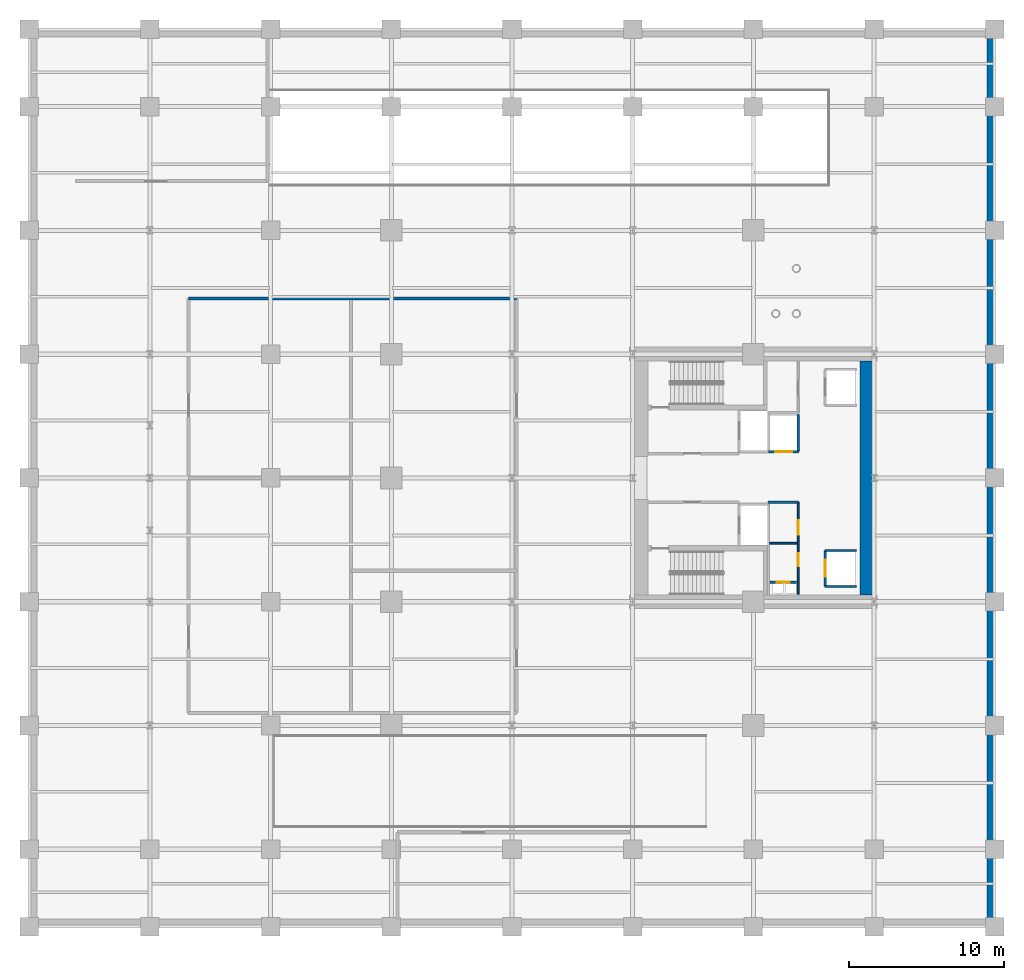
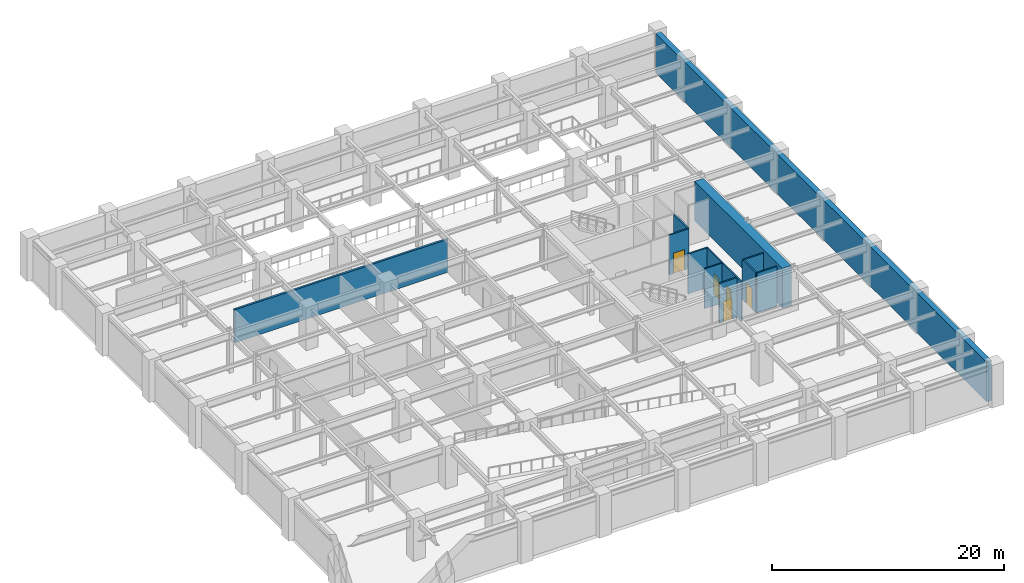
# One storey, part 6 of 10: 12 walls, 5 doors, 5 openings.
"""IFC4 building model written with IfcOpenShell, lengths in metres."""

import ifcopenshell
import ifcopenshell.guid

model = None  # the IFC model being written
_history = None  # IfcOwnerHistory: only IFC2X3 demands one
_inside = {}  # id of a spatial element -> (the spatial element, [elements in it])
_under = {}  # id of a project, library or spatial element -> (it, [spatial elements below it])
_declared = {}  # id of a project -> (the project, [libraries it declares])
_typed = {}  # id of a type object -> (the type object, [elements of that type])
_made_of = {}  # id of a material, layer set ... -> (it, [elements and type objects made of it])


def new_model(schema):
    """Start an empty IFC model of exactly this schema.

    Asked for "IFC4X3", IfcOpenShell would pick the latest addendum, in which some entities
    have other attributes; the version numbers below select the first issue.
    IFC2X3 requires an IfcOwnerHistory on every rooted entity: one is made here for all.
    """
    global model, _history
    if schema == "IFC4X3":
        model = ifcopenshell.file(schema_version=(4, 3, 0, 0))
    else:
        model = ifcopenshell.file(schema=schema)
    _inside.clear()
    _under.clear()
    _declared.clear()
    _typed.clear()
    _made_of.clear()
    _history = None
    if model.schema == "IFC2X3":
        org = make("IfcOrganization", Name="unknown")
        user = make(
            "IfcPersonAndOrganization",
            ThePerson=make("IfcPerson", FamilyName="unknown"),
            TheOrganization=org,
        )
        app = make(
            "IfcApplication",
            ApplicationDeveloper=org,
            Version="unknown",
            ApplicationFullName="unknown",
            ApplicationIdentifier="unknown",
        )
        _history = make(
            "IfcOwnerHistory",
            OwningUser=user,
            OwningApplication=app,
            ChangeAction="ADDED",
            CreationDate=0,
        )
    return model


def make(cls, **values):
    """One entity of the class cls with the attributes given. An attribute that is None is left unset."""
    return model.create_entity(
        cls, **{name: value for name, value in values.items() if value is not None}
    )


def rooted(cls, **values):
    """An entity with a GlobalId (a new one), such as an element, a storey or a relation."""
    return make(cls, GlobalId=ifcopenshell.guid.new(), OwnerHistory=_history, **values)


def si_unit(unit_type, name, prefix=None):
    """IfcSIUnit, for example si_unit("LENGTHUNIT", "METRE", prefix="MILLI")."""
    return make("IfcSIUnit", UnitType=unit_type, Prefix=prefix, Name=name)


def assignment(units):
    """IfcUnitAssignment: the units of a project."""
    return None if units is None else make("IfcUnitAssignment", Units=units)


def point(xyz):
    """IfcCartesianPoint."""
    return None if xyz is None else make("IfcCartesianPoint", Coordinates=xyz)


def direction(xyz):
    """IfcDirection."""
    return None if xyz is None else make("IfcDirection", DirectionRatios=xyz)


def frame(location, z_axis=None, x_axis=None):
    """IfcAxis2Placement3D, a coordinate frame: its origin and axes. An axis left out is left unset."""
    return make(
        "IfcAxis2Placement3D",
        Location=point(location),
        Axis=direction(z_axis),
        RefDirection=direction(x_axis),
    )


def frame_2d(location, x_axis=None):
    """IfcAxis2Placement2D, a coordinate frame in the plane: its origin and x axis."""
    return make(
        "IfcAxis2Placement2D", Location=point(location), RefDirection=direction(x_axis)
    )


def origin():
    """The frame at (0, 0, 0) with its axes left unset."""
    return frame((0.0, 0.0, 0.0))


def place(relative_to, where):
    """IfcLocalPlacement: puts the frame where relative to a parent placement (None: the world)."""
    return make(
        "IfcLocalPlacement", PlacementRelTo=relative_to, RelativePlacement=where
    )


def context(
    kind, dimensions, precision=None, world=None, true_north=None, identifier=None
):
    """IfcGeometricRepresentationContext, for example the 3D "Model" context."""
    return make(
        "IfcGeometricRepresentationContext",
        ContextIdentifier=identifier,
        ContextType=kind,
        CoordinateSpaceDimension=dimensions,
        Precision=precision,
        WorldCoordinateSystem=world,
        TrueNorth=true_north,
    )


def subcontext(parent, identifier, kind, view, scale=None):
    """IfcGeometricRepresentationSubContext, for example "Body" below "Model"."""
    return make(
        "IfcGeometricRepresentationSubContext",
        ContextIdentifier=identifier,
        ContextType=kind,
        ParentContext=parent,
        TargetScale=scale,
        TargetView=view,
    )


def project(units=None, contexts=None):
    """IfcProject with its units and contexts."""
    return rooted(
        "IfcProject",
        Name="project",
        RepresentationContexts=contexts,
        UnitsInContext=assignment(units),
    )


def spatial(cls, under=None, at=None, **own):
    """A site, building, storey or space (cls), placed at a placement, below another one or the project."""
    s = rooted(cls, ObjectPlacement=at, **own)
    if under is not None:
        _under.setdefault(under.id(), (under, []))[1].append(s)
    return s


def profile(cls, at=None, kind="AREA", **sizes):
    """A parametric profile (cls). Its sizes go by their IFC names, for example OverallWidth=200.0."""
    return make(cls, ProfileType=kind, Position=at, **sizes)


def rectangle(**sizes):
    """IfcRectangleProfileDef."""
    return profile("IfcRectangleProfileDef", **sizes)


def extrude(swept, where, along, depth):
    """IfcExtrudedAreaSolid: the profile swept, set in the frame where, extruded along a direction by depth."""
    return make(
        "IfcExtrudedAreaSolid",
        SweptArea=swept,
        Position=where,
        ExtrudedDirection=direction(along),
        Depth=depth,
    )


def shape(context_of_items, identifier, shape_type, items):
    """IfcShapeRepresentation: the items that make up one representation, for example the "Body"."""
    return make(
        "IfcShapeRepresentation",
        ContextOfItems=context_of_items,
        RepresentationIdentifier=identifier,
        RepresentationType=shape_type,
        Items=items,
    )


def material(Name=None, Category=None):
    """IfcMaterial."""
    return make("IfcMaterial", Name=Name, Category=Category)


def layer(
    of_material, thickness, ventilated=None, Name=None, Category=None, Priority=None
):
    """IfcMaterialLayer: one layer of a wall or slab, of a material (None: an air gap)."""
    return make(
        "IfcMaterialLayer",
        Material=of_material,
        LayerThickness=thickness,
        IsVentilated=ventilated,
        Name=Name,
        Category=Category,
        Priority=Priority,
    )


def layer_set(layers, Name=None):
    """IfcMaterialLayerSet."""
    return make("IfcMaterialLayerSet", MaterialLayers=layers, LayerSetName=Name)


def made_of(thing, what):
    """Note that an element or type object is made of a material, layer set ...; save() writes the relation."""
    if what is not None:
        _made_of.setdefault(what.id(), (what, []))[1].append(thing)
    return thing


def type_object(cls, material=None, **own):
    """A type object (cls), such as IfcWallType, which elements share."""
    return made_of(rooted(cls, **own), material)


def element(
    cls,
    number,
    at=None,
    inside=None,
    cuts=None,
    type_object=None,
    material=None,
    context=None,
    identifier="Body",
    shape_type=None,
    held_by="IfcProductDefinitionShape",
    body=None,
    shapes=None,
    **own,
):
    """One element of the class cls, such as IfcWall. Its Tag is "e" and its number.

    at: its placement. inside: the storey or other place that contains it. cuts: it is an
    opening in that element (IfcRelVoidsElement). A single representation is given by context,
    identifier, shape_type and body (its items); several are given by shapes. held_by: the class
    of the entity that holds the representations. save() writes the other relations.
    """
    e = rooted(cls, Tag="e%d" % number, ObjectPlacement=at, **own)
    if body is not None:
        shapes = [shape(context, identifier, shape_type, body)]
    if shapes is not None:
        e.Representation = make(held_by, Representations=shapes)
    if inside is not None:
        _inside.setdefault(inside.id(), (inside, []))[1].append(e)
    if cuts is not None:
        rooted(
            "IfcRelVoidsElement", RelatingBuildingElement=cuts, RelatedOpeningElement=e
        )
    if type_object is not None:
        _typed.setdefault(type_object.id(), (type_object, []))[1].append(e)
    return made_of(e, material)


def fill(opening, filler):
    """IfcRelFillsElement: the door or window that sits in an opening."""
    return rooted(
        "IfcRelFillsElement",
        RelatingOpeningElement=opening,
        RelatedBuildingElement=filler,
    )


def aggregate(whole, parts):
    """IfcRelAggregates: a whole, such as a stair, and the parts it consists of."""
    return rooted("IfcRelAggregates", RelatingObject=whole, RelatedObjects=parts)


def save(model, path):
    """Write the relations noted so far, then the file.

    IfcRelAggregates (storeys below a building ...), IfcRelContainedInSpatialStructure (elements
    in a storey), IfcRelDefinesByType, IfcRelAssociatesMaterial and IfcRelDeclares: one each for
    every whole, place, type object, material and project.
    """
    for whole, parts in _under.values():
        aggregate(whole, parts)
    for where, things in _inside.values():
        rooted(
            "IfcRelContainedInSpatialStructure",
            RelatedElements=things,
            RelatingStructure=where,
        )
    for kind, things in _typed.values():
        rooted("IfcRelDefinesByType", RelatedObjects=things, RelatingType=kind)
    for what, things in _made_of.values():
        rooted("IfcRelAssociatesMaterial", RelatedObjects=things, RelatingMaterial=what)
    for by, libraries in _declared.values():
        rooted("IfcRelDeclares", RelatingContext=by, RelatedDefinitions=libraries)
    model.write(path)


model = new_model("IFC4")

# Units and contexts
model_context = context("Model", 3, precision=1e-05, world=origin(), true_north=direction((0.0, 1.0)))
body_context = subcontext(model_context, "Body", "Model", "MODEL_VIEW")
ifc_project = project(units=[si_unit("LENGTHUNIT", "METRE"), si_unit("AREAUNIT", "SQUARE_METRE"), si_unit("VOLUMEUNIT", "CUBIC_METRE"), si_unit("PLANEANGLEUNIT", "RADIAN"), si_unit("MASSUNIT", "GRAM", prefix="KILO")], contexts=[model_context])

# Site, building, storey
site_placement = place(None, origin())
site = spatial("IfcSite", under=ifc_project, at=site_placement, CompositionType="ELEMENT")
building_placement = place(site_placement, origin())
building = spatial("IfcBuilding", under=site, at=building_placement, Name="Veymaron Broadcast Tower", CompositionType="ELEMENT")
storey_placement = place(building_placement, frame((0.0, 0.0, -4.5)))
storey = spatial("IfcBuildingStorey", under=building, at=storey_placement, Name="B1", CompositionType="ELEMENT", Elevation=-4.5)

# Wall
ifc_material_1 = material(Name="Concrete C40/50", Category="concrete")
ifc_layer_1 = layer(ifc_material_1, 0.199951171875)
ifc_layer_set_1 = layer_set([ifc_layer_1], Name="Concrete C40/50")
wall_type_1 = type_object("IfcWallType", Name="WALL-BLK-200", PredefinedType="SOLIDWALL", material=ifc_layer_set_1)
wall_1_placement = place(storey_placement, frame((10.300048828125, 35.60009765625, 0.0), z_axis=(0.0, 0.0, 1.0), x_axis=(1.0, 0.0, 0.0)))
element("IfcWall", 1, at=wall_1_placement, inside=storey, type_object=wall_type_1, Name="B1 partition IW-B1-PL-N", PredefinedType="SOLIDWALL", context=body_context, shape_type="SweptSolid", body=[
    extrude(rectangle(XDim=21.199951171875, YDim=0.199951171875, at=frame_2d((10.60009765625, 0.0))), origin(), (0.0, 0.0, 1.0), 3.47509765625),
])

# Wall, opening, door
ifc_material_2 = material(Name="Gypsum fireboard and steel stud framing", Category="steel")
ifc_layer_2 = layer(ifc_material_2, 0.14990234375)
ifc_layer_set_2 = layer_set([ifc_layer_2], Name="Gypsum fireboard and steel stud framing")
wall_type_2 = type_object("IfcWallType", Name="WALL-FIRE-150", PredefinedType="PARTITIONING", material=ifc_layer_set_2)
wall_2_placement = place(storey_placement, frame((47.7900390625, 25.695068359375, 0.0), z_axis=(0.0, 0.0, 1.0), x_axis=(1.0, 0.0, 0.0)))
wall_2 = element("IfcWall", 2, at=wall_2_placement, inside=storey, type_object=wall_type_2, Name="B1 partition IW-B1-SHS-SL-1", PredefinedType="PARTITIONING", context=body_context, shape_type="SweptSolid", body=[
    extrude(rectangle(XDim=1.919921875, YDim=0.14990234375, at=frame_2d((0.9599609375, 0.0))), origin(), (0.0, 0.0, 1.0), 4.179931640625),
])
opening_1_placement = place(wall_2_placement, frame((0.409912109375, 0.0, 0.0)))
opening_1 = element("IfcOpeningElement", 3, at=opening_1_placement, cuts=wall_2, Name="Opening LD", PredefinedType="OPENING", context=body_context, shape_type="SweptSolid", body=[
    extrude(rectangle(XDim=1.10009765625, YDim=2.14990234375, at=frame_2d((0.550048828125, 1.074951171875))), frame((0.0, 0.0849609375, 0.0), z_axis=(0.0, -1.0, 0.0), x_axis=(1.0, 0.0, 0.0)), (0.0, 0.0, 1.0), 0.169921875),
])
ifc_material_3 = material(Name="Brushed stainless steel AISI 304", Category="steel")
door_type_1 = type_object("IfcDoorType", Name="DOOR-LIFT-1100", OperationType="DOUBLE_DOOR_SLIDING", PredefinedType="DOOR", material=ifc_material_3)
door_1_placement = place(opening_1_placement, frame((1.10009765625, 0.0, 0.0), z_axis=(0.0, 0.0, 1.0), x_axis=(-1.0, 0.0, 0.0)))
door_1 = element("IfcDoor", 4, at=door_1_placement, inside=storey, type_object=door_type_1, Name="B1 door LD-B1-SL-1", OperationType="DOUBLE_DOOR_SLIDING", OverallHeight=2.14990234375, OverallWidth=1.10009765625, PredefinedType="DOOR", context=body_context, shape_type="SweptSolid", body=[
    extrude(rectangle(XDim=1.10009765625, YDim=2.14990234375, at=frame_2d((0.550048828125, 1.074951171875))), frame((0.0, 0.02490234375, 0.0), z_axis=(0.0, -1.0, 0.0), x_axis=(1.0, 0.0, 0.0)), (0.0, 0.0, 1.0), 0.050048828125),
])
fill(opening_1, door_1)

# Wall
wall_3_placement = place(storey_placement, frame((49.7099609375, 25.695068359375, 0.0), z_axis=(0.0, 0.0, 1.0), x_axis=(0.0, 1.0, 0.0)))
element("IfcWall", 5, at=wall_3_placement, inside=storey, type_object=wall_type_2, Name="B1 partition IW-B1-SHE-SL-1", PredefinedType="PARTITIONING", context=body_context, shape_type="SweptSolid", body=[
    extrude(rectangle(XDim=2.4150390625, YDim=0.14990234375, at=frame_2d((1.20751953125, 0.0))), origin(), (0.0, 0.0, 1.0), 4.179931640625),
])

# Wall, opening, door
wall_4_placement = place(storey_placement, frame((51.445068359375, 16.989990234375, 0.0), z_axis=(0.0, 0.0, 1.0), x_axis=(0.0, 1.0, 0.0)))
wall_4 = element("IfcWall", 6, at=wall_4_placement, inside=storey, type_object=wall_type_2, Name="B1 partition IW-B1-SHW-PH1", PredefinedType="PARTITIONING", context=body_context, shape_type="SweptSolid", body=[
    extrude(rectangle(XDim=2.320068359375, YDim=0.14990234375, at=frame_2d((1.16015625, 0.0))), origin(), (0.0, 0.0, 1.0), 4.179931640625),
])
opening_2_placement = place(wall_4_placement, frame((0.610107421875, 0.0, 0.0)))
opening_2 = element("IfcOpeningElement", 7, at=opening_2_placement, cuts=wall_4, Name="Opening LD", PredefinedType="OPENING", context=body_context, shape_type="SweptSolid", body=[
    extrude(rectangle(XDim=1.10009765625, YDim=2.14990234375, at=frame_2d((0.550048828125, 1.074951171875))), frame((0.0, 0.0849609375, 0.0), z_axis=(0.0, -1.0, 0.0), x_axis=(1.0, 0.0, 0.0)), (0.0, 0.0, 1.0), 0.169921875),
])
door_2_placement = place(opening_2_placement, frame((1.10009765625, 0.0, 0.0), z_axis=(0.0, 0.0, 1.0), x_axis=(-1.0, 0.0, 0.0)))
door_2 = element("IfcDoor", 8, at=door_2_placement, inside=storey, type_object=door_type_1, Name="B1 door LD-B1-PH1", OperationType="DOUBLE_DOOR_SLIDING", OverallHeight=2.14990234375, OverallWidth=1.10009765625, PredefinedType="DOOR", context=body_context, shape_type="SweptSolid", body=[
    extrude(rectangle(XDim=1.10009765625, YDim=2.14990234375, at=frame_2d((0.550048828125, 1.074951171875))), frame((0.0, 0.02490234375, 0.0), z_axis=(0.0, -1.0, 0.0), x_axis=(1.0, 0.0, 0.0)), (0.0, 0.0, 1.0), 0.050048828125),
])
fill(opening_2, door_2)

# Walls
for number, where, z_axis, x_axis, name in (
    (9, (51.445068359375, 16.989990234375, 0.0), (0.0, 0.0, 1.0), (1.0, 0.0, 0.0), "B1 partition IW-B1-SHS-PH1"),
    (10, (51.445068359375, 19.31005859375, 0.0), (0.0, 0.0, 1.0), (1.0, 0.0, 0.0), "B1 partition IW-B1-SHN-PH1"),
):
    element("IfcWall", number, at=place(storey_placement, frame(where, z_axis=z_axis, x_axis=x_axis)), inside=storey, type_object=wall_type_2, Name=name, PredefinedType="PARTITIONING", context=body_context, shape_type="SweptSolid", body=[
        extrude(rectangle(XDim=2.014892578125, YDim=0.14990234375, at=frame_2d((1.00732421875, 0.0))), origin(), (0.0, 0.0, 1.0), 4.179931640625),
    ])

# Wall, opening, door
wall_5_placement = place(storey_placement, frame((47.8798828125, 17.260009765625, 0.0), z_axis=(0.0, 0.0, 1.0), x_axis=(1.0, 0.0, 0.0)))
wall_5 = element("IfcWall", 11, at=wall_5_placement, inside=storey, type_object=wall_type_2, Name="B1 partition IW-B1-RIS-N", PredefinedType="PARTITIONING", context=body_context, shape_type="SweptSolid", body=[
    extrude(rectangle(XDim=1.72021484375, YDim=0.14990234375, at=frame_2d((0.860107421875, 0.0))), origin(), (0.0, 0.0, 1.0), 4.179931640625),
])
opening_3_placement = place(wall_5_placement, frame((0.419921875, 0.0, 0.0)))
opening_3 = element("IfcOpeningElement", 12, at=opening_3_placement, cuts=wall_5, Name="Opening ID-RS1", PredefinedType="OPENING", context=body_context, shape_type="SweptSolid", body=[
    extrude(rectangle(XDim=0.85009765625, YDim=2.14990234375, at=frame_2d((0.425048828125, 1.074951171875))), frame((0.0, 0.0849609375, 0.0), z_axis=(0.0, -1.0, 0.0), x_axis=(1.0, 0.0, 0.0)), (0.0, 0.0, 1.0), 0.169921875),
])
ifc_material_4 = material(Name="Fire-rated powder-coated steel riser leaf", Category="steel")
door_type_2 = type_object("IfcDoorType", Name="DOOR-RIS-850", OperationType="NOTDEFINED", PredefinedType="TRAPDOOR", material=ifc_material_4)
door_3_placement = place(opening_3_placement, origin())
door_3 = element("IfcDoor", 13, at=door_3_placement, inside=storey, type_object=door_type_2, Name="B1 door DR-B1-RIS", OperationType="SINGLE_SWING_LEFT", OverallHeight=2.14990234375, OverallWidth=0.85009765625, PredefinedType="TRAPDOOR", context=body_context, shape_type="SweptSolid", body=[
    extrude(rectangle(XDim=0.85009765625, YDim=2.14990234375, at=frame_2d((0.425048828125, 1.074951171875))), frame((0.0, 0.02490234375, 0.0), z_axis=(0.0, -1.0, 0.0), x_axis=(1.0, 0.0, 0.0)), (0.0, 0.0, 1.0), 0.050048828125),
])
fill(opening_3, door_3)

# Walls
wall_6_placement = place(storey_placement, frame((47.760009765625, 22.425048828125, 0.0), z_axis=(0.0, 0.0, 1.0), x_axis=(1.0, 0.0, 0.0)))
element("IfcWall", 14, at=wall_6_placement, inside=storey, type_object=wall_type_2, Name="B1 partition IW-B1-SM-N", PredefinedType="PARTITIONING", context=body_context, shape_type="SweptSolid", body=[
    extrude(rectangle(XDim=1.9599609375, YDim=0.14990234375, at=frame_2d((0.97998046875, 0.0))), origin(), (0.0, 0.0, 1.0), 4.179931640625),
])
ifc_material_5 = material(Name="Acoustic gypsum board and galvanized stud", Category="gypsum")
ifc_layer_3 = layer(ifc_material_5, 0.1201171875)
ifc_layer_set_3 = layer_set([ifc_layer_3], Name="Acoustic gypsum board and galvanized stud")
wall_type_3 = type_object("IfcWallType", Name="WALL-PART-120", PredefinedType="PARTITIONING", material=ifc_layer_set_3)
wall_7_placement = place(storey_placement, frame((47.860107421875, 19.780029296875, 0.0), z_axis=(0.0, 0.0, 1.0), x_axis=(1.0, 0.0, 0.0)))
element("IfcWall", 15, at=wall_7_placement, inside=storey, type_object=wall_type_3, Name="B1 partition IW-B1-SM-DIV", PredefinedType="PARTITIONING", context=body_context, shape_type="SweptSolid", body=[
    extrude(rectangle(XDim=1.760009765625, YDim=0.1201171875, at=frame_2d((0.8798828125, 0.0))), origin(), (0.0, 0.0, 1.0), 4.179931640625),
])

# Wall, openings, doors
wall_8_placement = place(storey_placement, frame((49.699951171875, 16.47998046875, 0.0), z_axis=(0.0, 0.0, 1.0), x_axis=(0.0, 1.0, 0.0)))
wall_8 = element("IfcWall", 16, at=wall_8_placement, inside=storey, type_object=wall_type_3, Name="B1 partition IW-B1-SM-E", PredefinedType="PARTITIONING", context=body_context, shape_type="SweptSolid", body=[
    extrude(rectangle(XDim=5.945068359375, YDim=0.1201171875, at=frame_2d((2.97265625, 0.0))), origin(), (0.0, 0.0, 1.0), 4.179931640625),
])
opening_4_placement = place(wall_8_placement, frame((1.800048828125, 0.0, 0.0)))
opening_4 = element("IfcOpeningElement", 17, at=opening_4_placement, cuts=wall_8, Name="Opening ID-WC1", PredefinedType="OPENING", context=body_context, shape_type="SweptSolid", body=[
    extrude(rectangle(XDim=0.85009765625, YDim=2.14990234375, at=frame_2d((0.425048828125, 1.074951171875))), frame((0.0, 0.070068359375, 0.0), z_axis=(0.0, -1.0, 0.0), x_axis=(1.0, 0.0, 0.0)), (0.0, 0.0, 1.0), 0.14013671875),
])
opening_5_placement = place(wall_8_placement, frame((3.85009765625, 0.0, 0.0)))
opening_5 = element("IfcOpeningElement", 18, at=opening_5_placement, cuts=wall_8, Name="Opening ID-RM1", PredefinedType="OPENING", context=body_context, shape_type="SweptSolid", body=[
    extrude(rectangle(XDim=0.949951171875, YDim=2.14990234375, at=frame_2d((0.47509765625, 1.074951171875))), frame((0.0, 0.070068359375, 0.0), z_axis=(0.0, -1.0, 0.0), x_axis=(1.0, 0.0, 0.0)), (0.0, 0.0, 1.0), 0.14013671875),
])
ifc_material_6 = material(Name="Moisture-resistant high-pressure laminate timber", Category="wood")
door_type_3 = type_object("IfcDoorType", Name="DOOR-INT-850", OperationType="NOTDEFINED", PredefinedType="DOOR", material=ifc_material_6)
door_4_placement = place(opening_4_placement, frame((0.85009765625, 0.0, 0.0), z_axis=(0.0, 0.0, 1.0), x_axis=(-1.0, 0.0, 0.0)))
door_4 = element("IfcDoor", 19, at=door_4_placement, inside=storey, type_object=door_type_3, Name="B1 door DR-B1-SWC", OperationType="SINGLE_SWING_LEFT", OverallHeight=2.14990234375, OverallWidth=0.85009765625, PredefinedType="DOOR", context=body_context, shape_type="SweptSolid", body=[
    extrude(rectangle(XDim=0.85009765625, YDim=2.14990234375, at=frame_2d((0.425048828125, 1.074951171875))), frame((0.0, 0.02490234375, 0.0), z_axis=(0.0, -1.0, 0.0), x_axis=(1.0, 0.0, 0.0)), (0.0, 0.0, 1.0), 0.050048828125),
])
fill(opening_4, door_4)
ifc_material_7 = material(Name="Acoustic solid-core European oak veneer timber", Category="wood")
door_type_4 = type_object("IfcDoorType", Name="DOOR-INT-950", OperationType="NOTDEFINED", PredefinedType="DOOR", material=ifc_material_7)
door_5_placement = place(opening_5_placement, frame((0.949951171875, 0.0, 0.0), z_axis=(0.0, 0.0, 1.0), x_axis=(-1.0, 0.0, 0.0)))
door_5 = element("IfcDoor", 20, at=door_5_placement, inside=storey, type_object=door_type_4, Name="B1 door DR-B1-AWC", OperationType="SINGLE_SWING_RIGHT", OverallHeight=2.14990234375, OverallWidth=0.949951171875, PredefinedType="DOOR", context=body_context, shape_type="SweptSolid", body=[
    extrude(rectangle(XDim=0.949951171875, YDim=2.14990234375, at=frame_2d((0.47509765625, 1.074951171875))), frame((0.0, 0.02490234375, 0.0), z_axis=(0.0, -1.0, 0.0), x_axis=(1.0, 0.0, 0.0)), (0.0, 0.0, 1.0), 0.050048828125),
])
fill(opening_5, door_5)

# Walls
ifc_material_8 = material(Name="Concrete C50/60", Category="concrete")
ifc_layer_4 = layer(ifc_material_8, 0.5)
ifc_layer_set_4 = layer_set([ifc_layer_4], Name="Concrete C50/60")
wall_type_4 = type_object("IfcWallType", Name="WALL-RET-500", PredefinedType="USERDEFINED", material=ifc_layer_set_4)
wall_9_placement = place(storey_placement, frame((62.14990234375, -4.5, 0.0), z_axis=(0.0, 0.0, 1.0), x_axis=(0.0, 1.0, 0.0)))
element("IfcWall", 21, at=wall_9_placement, inside=storey, type_object=wall_type_4, Name="B1 retaining wall E", ObjectType="RETAININGWALL", PredefinedType="USERDEFINED", context=body_context, shape_type="SweptSolid", body=[
    extrude(rectangle(XDim=57.0, YDim=0.5, at=frame_2d((28.5, 0.0))), origin(), (0.0, 0.0, 1.0), 4.179931640625),
])
ifc_material_9 = material(Name="Concrete C70/85", Category="concrete")
ifc_layer_5 = layer(ifc_material_9, 0.89990234375)
ifc_layer_set_5 = layer_set([ifc_layer_5], Name="Concrete C70/85")
wall_type_5 = type_object("IfcWallType", Name="WALL-SHEAR-900", PredefinedType="SHEAR", material=ifc_layer_set_5)
wall_10_placement = place(storey_placement, frame((54.14990234375, 16.449951171875, 0.0), z_axis=(0.0, 0.0, 1.0), x_axis=(0.0, 1.0, 0.0)))
element("IfcWall", 22, at=wall_10_placement, inside=storey, type_object=wall_type_5, Name="B1 Core Wall east shear", PredefinedType="SHEAR", context=body_context, shape_type="SweptSolid", body=[
    extrude(rectangle(XDim=15.10009765625, YDim=0.89990234375, at=frame_2d((7.550048828125, 0.0))), origin(), (0.0, 0.0, 1.0), 4.179931640625),
])

save(model, "model.ifc")
